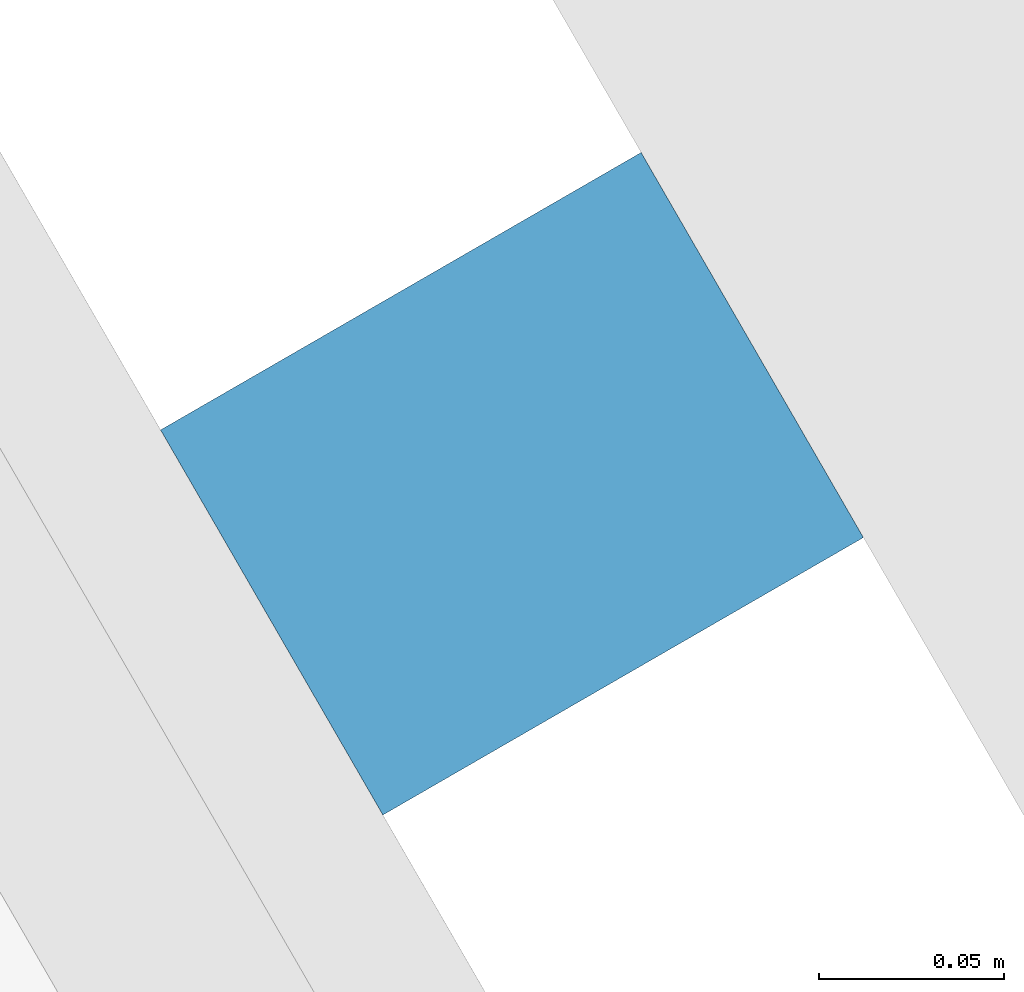
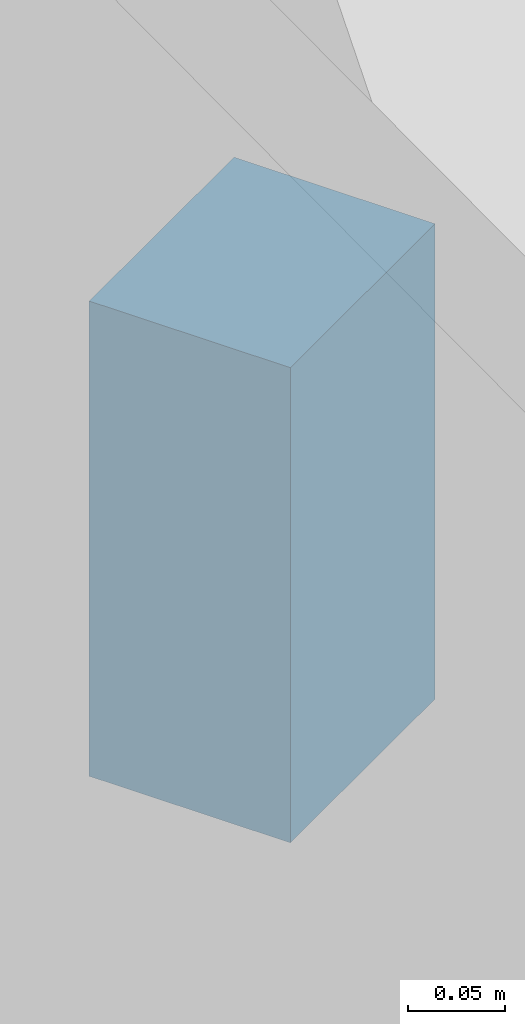
# One storey, part 10 of 12: 1 discrete accessory.
"""IFC4 building model written with IfcOpenShell, lengths in metres."""

from ifc_helpers import new_model, si_unit, direction, frame, origin, place, context, subcontext, project, spatial, polyline, outline, extrude, source, transform, mapped, material, type_object, element, save


model = new_model("IFC4")

# Units and contexts
model_context = context("Model", 3, precision=1e-05, world=origin(), true_north=direction((0.0, 1.0)))
body_context = subcontext(model_context, "Body", "Model", "MODEL_VIEW")
ifc_project = project(units=[si_unit("LENGTHUNIT", "METRE"), si_unit("AREAUNIT", "SQUARE_METRE"), si_unit("VOLUMEUNIT", "CUBIC_METRE"), si_unit("PLANEANGLEUNIT", "RADIAN"), si_unit("MASSUNIT", "GRAM", prefix="KILO")], contexts=[model_context])

# Site, building, storey
site_placement = place(None, origin())
site = spatial("IfcSite", under=ifc_project, at=site_placement, CompositionType="ELEMENT")
building_placement = place(site_placement, origin())
building = spatial("IfcBuilding", under=site, at=building_placement, Name="Altiplano Prism Tower", CompositionType="ELEMENT")
storey_placement = place(building_placement, frame((0.0, 0.0, 323.800048828125)))
storey = spatial("IfcBuildingStorey", under=building, at=storey_placement, Name="L84", CompositionType="ELEMENT", Elevation=323.800048828125)

# Discrete accessory
ifc_material = material(Name="Stainless steel", Category="steel")
discrete_accessory_type = type_object("IfcDiscreteAccessoryType", Name="Stone fin fixing prongs", PredefinedType="USERDEFINED", material=ifc_material)
shared_shape = source(origin(), body_context, "Body", "SweptSolid", [
    extrude(outline(polyline([(-1.012451171875, 2.481689453125), (-0.892333984375, 2.481689453125), (-0.892333984375, 2.78173828125), (-1.012451171875, 2.78173828125), (-1.012451171875, 2.481689453125)])), frame((0.0, 0.0, 0.0), z_axis=(0.0, -1.0, 0.0), x_axis=(1.0, 0.0, 0.0)), (0.0, 0.0, 1.0), 0.14990234375),
])
discrete_accessory_placement = place(storey_placement, origin())
element("IfcDiscreteAccessory", 1, at=discrete_accessory_placement, inside=storey, type_object=discrete_accessory_type, Name="Fin fixings L84 north-east chamfer", ObjectType="BRACKET", PredefinedType="USERDEFINED", context=body_context, shape_type="MappedRepresentation", body=[
    mapped(shared_shape, transform((105.44287109375, 103.417724609375, -0.400146484375), x_axis=(-0.49999998401, 0.866025413017, 0.0), y_axis=(-0.866025413017, -0.49999998401, 0.0), z_axis=(0.0, 0.0, 1.0))),
])

save(model, "model.ifc")
